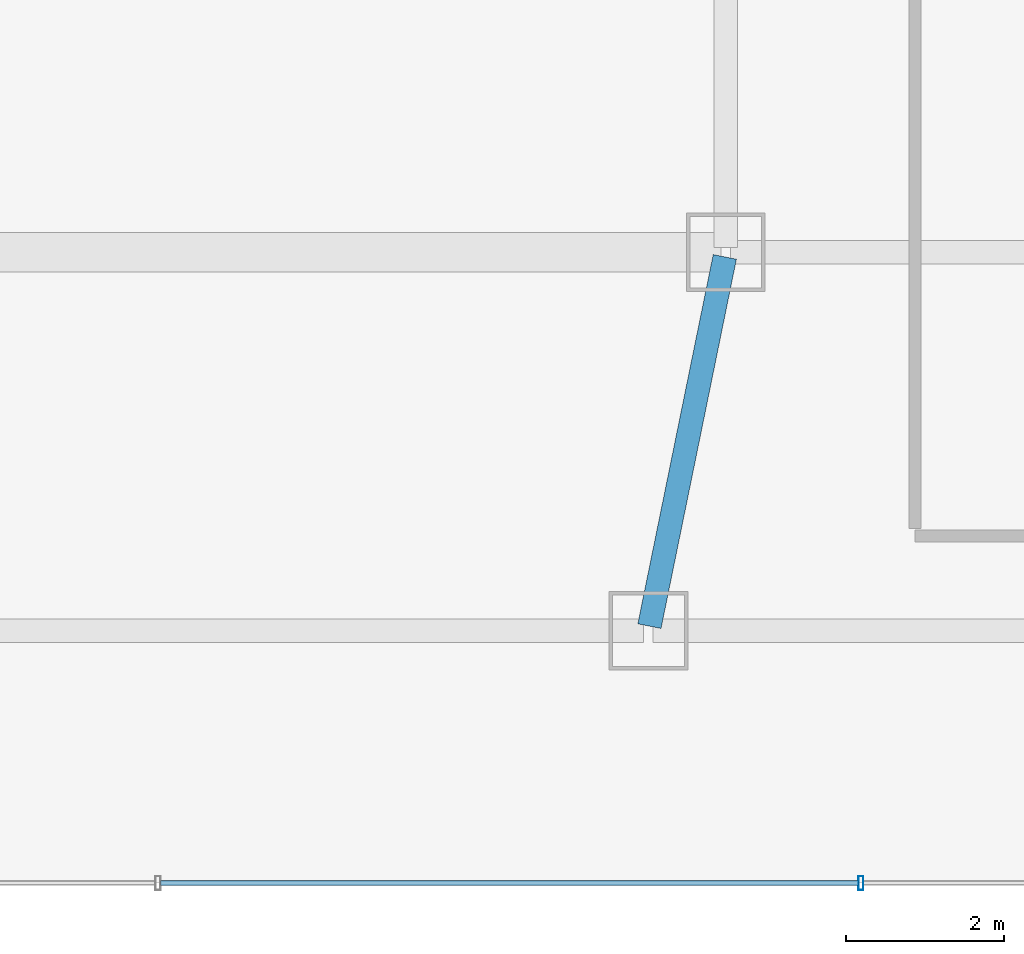
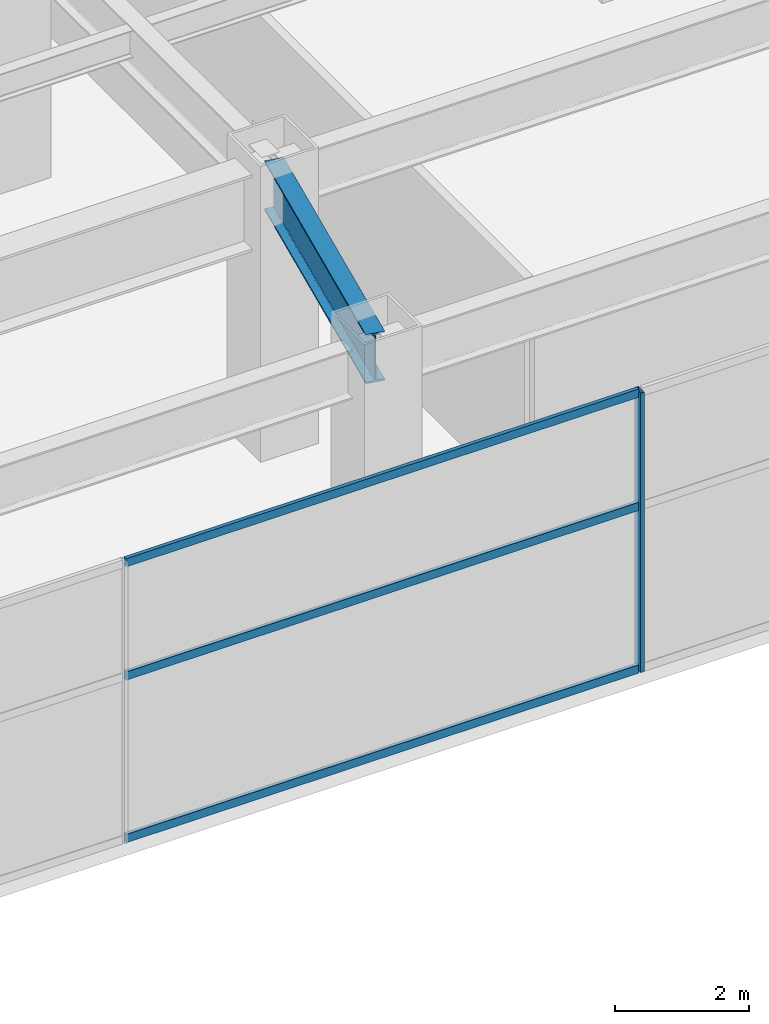
# One storey, part 14 of 52: 4 members, 1 beam, 1 element without a shape of its own.
"""IFC4 building model written with IfcOpenShell, lengths in metres."""

from ifc_helpers import new_model, si_unit, direction, frame, origin, origin_2d, place, context, subcontext, project, spatial, hollow_rectangle, i_section, extrude, material, material_profile, profile_set, type_object, element, aggregate, save


model = new_model("IFC4")

# Units and contexts
model_context = context("Model", 3, precision=1e-05, world=origin(), true_north=direction((0.0, 1.0)))
body_context = subcontext(model_context, "Body", "Model", "MODEL_VIEW")
ifc_project = project(units=[si_unit("LENGTHUNIT", "METRE"), si_unit("AREAUNIT", "SQUARE_METRE"), si_unit("VOLUMEUNIT", "CUBIC_METRE"), si_unit("PLANEANGLEUNIT", "RADIAN"), si_unit("MASSUNIT", "GRAM", prefix="KILO")], contexts=[model_context])

# Site, building, storey
site_placement = place(None, origin())
site = spatial("IfcSite", under=ifc_project, at=site_placement, CompositionType="ELEMENT")
building_placement = place(site_placement, origin())
building = spatial("IfcBuilding", under=site, at=building_placement, Name="Saevonmaru Cultural Tower", CompositionType="ELEMENT")
storey_placement = place(building_placement, frame((0.0, 0.0, 11.39990234375)))
storey = spatial("IfcBuildingStorey", under=building, at=storey_placement, Name="L02", CompositionType="ELEMENT", Elevation=11.39990234375)

# Beam
ifc_material_1 = material(Name="Steel SM420", Category="steel")
ifc_material_profile_1 = material_profile(ifc_material_1, i_section(OverallWidth=0.300048828125, OverallDepth=0.89990234375, WebThickness=0.01611328125, FlangeThickness=0.028076171875, FilletRadius=0.028076171875, at=origin_2d()), Name="H-900x300x16x28")
ifc_profile_set_1 = profile_set([ifc_material_profile_1], Name="Steel SM420")
beam_type = type_object("IfcBeamType", Name="BM-G-H900", PredefinedType="BEAM", material=ifc_profile_set_1)
beam_placement = place(storey_placement, frame((36.23193359375, 3.2587890625, 4.650146484375), z_axis=(0.200054094908, 0.979784853481, 0.0), x_axis=(-0.979784853481, 0.200054094908, 0.0)))
element("IfcBeam", 1, at=beam_placement, inside=storey, type_object=beam_type, Name="L02 Podium Girder NS3-1", PredefinedType="BEAM", context=body_context, shape_type="SweptSolid", body=[
    extrude(i_section(OverallWidth=0.300048828125, OverallDepth=0.89990234375, WebThickness=0.01611328125, FlangeThickness=0.028076171875, FilletRadius=0.028076171875, at=origin_2d()), origin(), (0.0, 0.0, 1.0), 4.779052734375),
])

# Curtain wall, members
ifc_material_2 = material(Name="Satin Bronze Anodised Aluminium", Category="aluminium")
curtain_wall_type = type_object("IfcCurtainWallType", Name="CW-POD-GLZ", PredefinedType="NOTDEFINED", material=ifc_material_2)
curtain_wall_placement = place(storey_placement, origin())
curtain_wall = element("IfcCurtainWall", 2, at=curtain_wall_placement, inside=storey, type_object=curtain_wall_type, Name="L02 South Grand Foyer Curtain Wall", PredefinedType="NOTDEFINED")
ifc_material_profile_2 = material_profile(ifc_material_2, hollow_rectangle(XDim=0.06494140625, YDim=0.179931640625, WallThickness=0.00390625, at=origin_2d()), Name="ALU-MULL-180x65x4")
ifc_profile_set_2 = profile_set([ifc_material_profile_2], Name="Satin Bronze Anodised Aluminium")
member_type_1 = type_object("IfcMemberType", Name="ML-CW-180x65", PredefinedType="MULLION", material=ifc_profile_set_2)
member_1_placement = place(storey_placement, frame((38.913330078125, 0.0, 0.0), z_axis=(0.0, 0.0, 1.0), x_axis=(1.0, 0.0, 0.0)))
member_1 = element("IfcMember", 3, at=member_1_placement, type_object=member_type_1, Name="CW-POD-S-L02 mullion 5", PredefinedType="MULLION", context=body_context, shape_type="SweptSolid", body=[
    extrude(hollow_rectangle(XDim=0.06494140625, YDim=0.179931640625, WallThickness=0.00390625, at=origin_2d()), origin(), (0.0, 0.0, 1.0), 5.10009765625),
])
ifc_material_profile_3 = material_profile(ifc_material_2, hollow_rectangle(XDim=0.06494140625, YDim=0.14990234375, WallThickness=0.00390625, at=origin_2d()), Name="ALU-TRAN-150x65x4")
ifc_profile_set_3 = profile_set([ifc_material_profile_3], Name="Satin Bronze Anodised Aluminium")
member_type_2 = type_object("IfcMemberType", Name="TR-CW-150x65", PredefinedType="USERDEFINED", material=ifc_profile_set_3)
member_2_placement = place(storey_placement, frame((30.032470703125, 0.0, 0.03271484375), z_axis=(1.0, 0.0, 0.0), x_axis=(0.0, 1.0, 0.0)))
member_2 = element("IfcMember", 4, at=member_2_placement, type_object=member_type_2, Name="CW-POD-S-L02 transom 4.1", ObjectType="TRANSOM", PredefinedType="USERDEFINED", context=body_context, shape_type="SweptSolid", body=[
    extrude(hollow_rectangle(XDim=0.06494140625, YDim=0.14990234375, WallThickness=0.00390625, at=origin_2d()), origin(), (0.0, 0.0, 1.0), 8.848388671875),
])
member_3_placement = place(storey_placement, frame((30.032470703125, 0.0, 3.0), z_axis=(1.0, 0.0, 0.0), x_axis=(0.0, 1.0, 0.0)))
member_3 = element("IfcMember", 5, at=member_3_placement, type_object=member_type_2, Name="CW-POD-S-L02 transom 4.2", ObjectType="TRANSOM", PredefinedType="USERDEFINED", context=body_context, shape_type="SweptSolid", body=[
    extrude(hollow_rectangle(XDim=0.06494140625, YDim=0.14990234375, WallThickness=0.00390625, at=origin_2d()), origin(), (0.0, 0.0, 1.0), 8.848388671875),
])
member_4_placement = place(storey_placement, frame((30.032470703125, 0.0, 5.067626953125), z_axis=(1.0, 0.0, 0.0), x_axis=(0.0, 1.0, 0.0)))
member_4 = element("IfcMember", 6, at=member_4_placement, type_object=member_type_2, Name="CW-POD-S-L02 transom 4.3", ObjectType="TRANSOM", PredefinedType="USERDEFINED", context=body_context, shape_type="SweptSolid", body=[
    extrude(hollow_rectangle(XDim=0.06494140625, YDim=0.14990234375, WallThickness=0.00390625, at=origin_2d()), origin(), (0.0, 0.0, 1.0), 8.848388671875),
])
aggregate(curtain_wall, [member_1, member_2, member_3, member_4])

save(model, "model.ifc")
